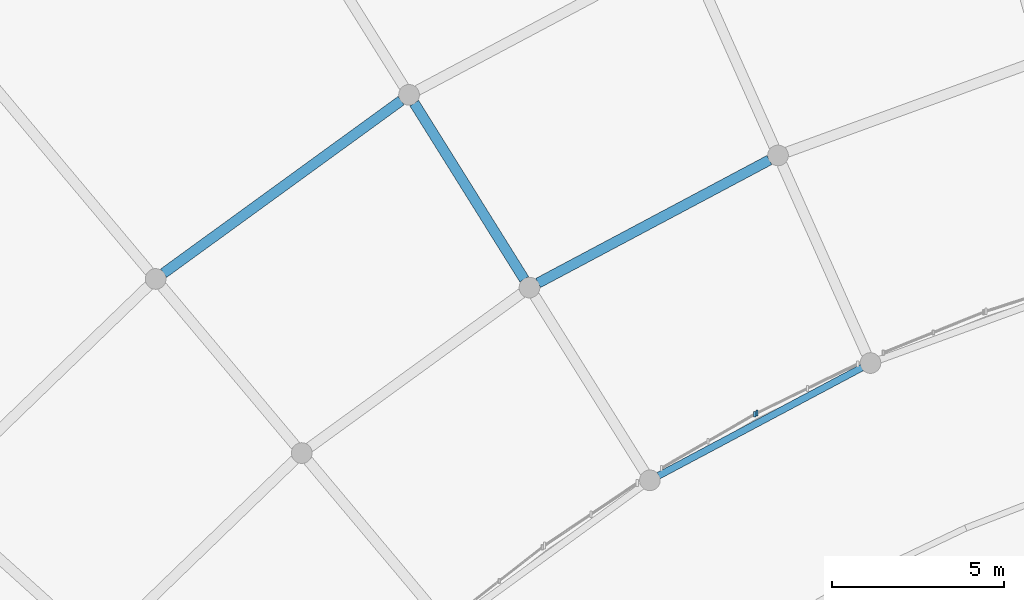
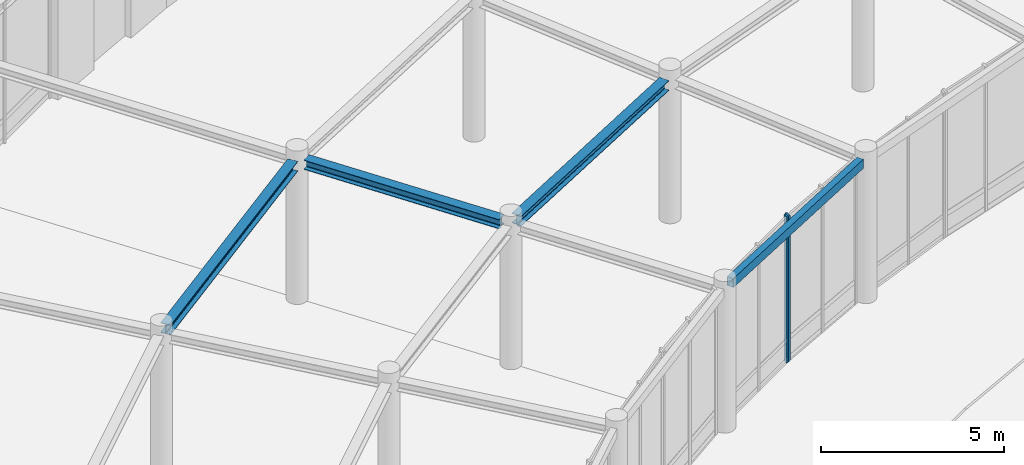
# One storey, part 21 of 64: 4 beams, 2 members, 2 elements without a shape of their own.
"""IFC4 building model written with IfcOpenShell, lengths in metres."""

from ifc_helpers import new_model, si_unit, direction, frame, origin, origin_2d, place, context, subcontext, project, spatial, rectangle, hollow_rectangle, i_section, extrude, material, material_profile, profile_set, type_object, element, aggregate, save


model = new_model("IFC4")

# Units and contexts
model_context = context("Model", 3, precision=1e-05, world=origin(), true_north=direction((0.0, 1.0)))
body_context = subcontext(model_context, "Body", "Model", "MODEL_VIEW")
ifc_project = project(units=[si_unit("LENGTHUNIT", "METRE"), si_unit("AREAUNIT", "SQUARE_METRE"), si_unit("VOLUMEUNIT", "CUBIC_METRE"), si_unit("PLANEANGLEUNIT", "RADIAN"), si_unit("MASSUNIT", "GRAM", prefix="KILO")], contexts=[model_context])

# Site, building, storey
site_placement = place(None, origin())
site = spatial("IfcSite", under=ifc_project, at=site_placement, CompositionType="ELEMENT")
building_placement = place(site_placement, origin())
building = spatial("IfcBuilding", under=site, at=building_placement, Name="Clarverna Civic Hall", CompositionType="ELEMENT")
storey_placement = place(building_placement, origin())
storey = spatial("IfcBuildingStorey", under=building, at=storey_placement, Name="L00", CompositionType="ELEMENT", Elevation=0.0)

# Beams
ifc_material_1 = material(Name="Steel S355", Category="steel")
ifc_material_profile_1 = material_profile(ifc_material_1, hollow_rectangle(XDim=0.199951171875, YDim=0.300048828125, WallThickness=0.010009765625, at=origin_2d()), Name="RHS 300x200x10.0")
ifc_profile_set_1 = profile_set([ifc_material_profile_1], Name="Steel S355")
beam_type_1 = type_object("IfcBeamType", Name="B-ST15", PredefinedType="SPANDREL", material=ifc_profile_set_1)
beam_1_placement = place(storey_placement, frame((130.59814453125, 55.37060546875, 4.7099609375), z_axis=(-0.882956785434, -0.469454273658, 0.0), x_axis=(0.469454273658, -0.882956785434, 0.0)))
element("IfcBeam", 1, at=beam_1_placement, inside=storey, type_object=beam_type_1, Name="B-ST15-003", PredefinedType="SPANDREL", context=body_context, shape_type="SweptSolid", body=[
    extrude(hollow_rectangle(XDim=0.199951171875, YDim=0.300048828125, WallThickness=0.010009765625, at=origin_2d()), origin(), (0.0, 0.0, 1.0), 6.684814453125),
])
ifc_material_profile_2 = material_profile(ifc_material_1, i_section(OverallWidth=0.300048828125, OverallDepth=0.330078125, WebThickness=0.009521484375, FlangeThickness=0.0166015625, FilletRadius=0.027099609375, at=origin_2d()), Name="HEA 340")
ifc_profile_set_2 = profile_set([ifc_material_profile_2], Name="Steel S355")
beam_type_2 = type_object("IfcBeamType", Name="B-ST8", PredefinedType="BEAM", material=ifc_profile_set_2)
beam_2_placement = place(storey_placement, frame((127.91357421875, 61.39990234375, 4.614990234375), z_axis=(-0.882950249119, -0.469466567053, 0.0), x_axis=(0.469466567053, -0.882950249119, 0.0)))
element("IfcBeam", 2, at=beam_2_placement, inside=storey, type_object=beam_type_2, Name="B-ST8-031", PredefinedType="BEAM", context=body_context, shape_type="SweptSolid", body=[
    extrude(i_section(OverallWidth=0.300048828125, OverallDepth=0.330078125, WebThickness=0.009521484375, FlangeThickness=0.0166015625, FilletRadius=0.027099609375, at=origin_2d()), origin(), (0.0, 0.0, 1.0), 7.60546875),
])
beam_3_placement = place(storey_placement, frame((117.21875, 63.125244140625, 4.614990234375), z_axis=(-0.809013353233, -0.587790263862, 0.0), x_axis=(0.587790263862, -0.809013353233, 0.0)))
element("IfcBeam", 3, at=beam_3_placement, inside=storey, type_object=beam_type_2, Name="B-ST8-041", PredefinedType="BEAM", context=body_context, shape_type="SweptSolid", body=[
    extrude(i_section(OverallWidth=0.300048828125, OverallDepth=0.330078125, WebThickness=0.009521484375, FlangeThickness=0.0166015625, FilletRadius=0.027099609375, at=origin_2d()), origin(), (0.0, 0.0, 1.0), 8.5263671875),
])
ifc_material_profile_3 = material_profile(ifc_material_1, i_section(OverallWidth=0.300048828125, OverallDepth=0.31005859375, WebThickness=0.009033203125, FlangeThickness=0.015380859375, FilletRadius=0.027099609375, at=origin_2d()), Name="HEA 320")
ifc_profile_set_3 = profile_set([ifc_material_profile_3], Name="Steel S355")
beam_type_3 = type_object("IfcBeamType", Name="B-ST9", PredefinedType="BEAM", material=ifc_profile_set_3)
beam_4_placement = place(storey_placement, frame((120.795654296875, 57.937255859375, 4.625), z_axis=(-0.529904313533, 0.848057438208, 0.0), x_axis=(-0.848057438208, -0.529904313533, 0.0)))
element("IfcBeam", 4, at=beam_4_placement, inside=storey, type_object=beam_type_3, Name="B-ST9-032", PredefinedType="BEAM", context=body_context, shape_type="SweptSolid", body=[
    extrude(i_section(OverallWidth=0.300048828125, OverallDepth=0.31005859375, WebThickness=0.009033203125, FlangeThickness=0.015380859375, FilletRadius=0.027099609375, at=origin_2d()), origin(), (0.0, 0.0, 1.0), 6.030029296875),
])

# Curtain wall, member
ifc_material_2 = material(Name="Anodised Bronze Architectural Aluminium", Category="aluminium")
curtain_wall_type = type_object("IfcCurtainWallType", Name="CW-03", PredefinedType="USERDEFINED", material=ifc_material_2)
curtain_wall_1_placement = place(storey_placement, origin())
curtain_wall_1 = element("IfcCurtainWall", 5, at=curtain_wall_1_placement, inside=storey, type_object=curtain_wall_type, Name="CW-03-012", ObjectType="UNITISED CURTAIN WALL", PredefinedType="USERDEFINED")
ifc_material_profile_4 = material_profile(ifc_material_2, rectangle(XDim=0.06005859375, YDim=0.179931640625, at=origin_2d()), Name="BRONZE 60x180")
ifc_profile_set_4 = profile_set([ifc_material_profile_4], Name="Anodised Bronze Architectural Aluminium")
member_type_1 = type_object("IfcMemberType", Name="CWM-01", PredefinedType="MULLION", material=ifc_profile_set_4)
member_1_placement = place(storey_placement, frame((127.555908203125, 54.0537109375, 0.0), z_axis=(0.0, 0.0, 1.0), x_axis=(1.0, 0.0, 0.0)))
member_1 = element("IfcMember", 6, at=member_1_placement, type_object=member_type_1, Name="CWM-01-012", PredefinedType="MULLION", context=body_context, shape_type="SweptSolid", body=[
    extrude(rectangle(XDim=0.06005859375, YDim=0.179931640625, at=origin_2d()), origin(), (0.0, 0.0, 1.0), 4.860107421875),
])
aggregate(curtain_wall_1, [member_1])

curtain_wall_2_placement = place(storey_placement, origin())
curtain_wall_2 = element("IfcCurtainWall", 7, at=curtain_wall_2_placement, inside=storey, type_object=curtain_wall_type, Name="CW-03-013", ObjectType="UNITISED CURTAIN WALL", PredefinedType="USERDEFINED")
ifc_material_profile_5 = material_profile(ifc_material_2, rectangle(XDim=0.06005859375, YDim=0.159912109375, at=origin_2d()), Name="BRONZE 60x160")
ifc_profile_set_5 = profile_set([ifc_material_profile_5], Name="Anodised Bronze Architectural Aluminium")
member_type_2 = type_object("IfcMemberType", Name="CWM-02", PredefinedType="MULLION", material=ifc_profile_set_5)
member_2_placement = place(storey_placement, frame((127.489013671875, 54.01806640625, 0.0), z_axis=(0.0, 0.0, 1.0), x_axis=(1.0, 0.0, 0.0)))
member_2 = element("IfcMember", 8, at=member_2_placement, type_object=member_type_2, Name="CWM-02-010", PredefinedType="MULLION", context=body_context, shape_type="SweptSolid", body=[
    extrude(rectangle(XDim=0.06005859375, YDim=0.159912109375, at=origin_2d()), origin(), (0.0, 0.0, 1.0), 4.860107421875),
])
aggregate(curtain_wall_2, [member_2])

save(model, "model.ifc")
